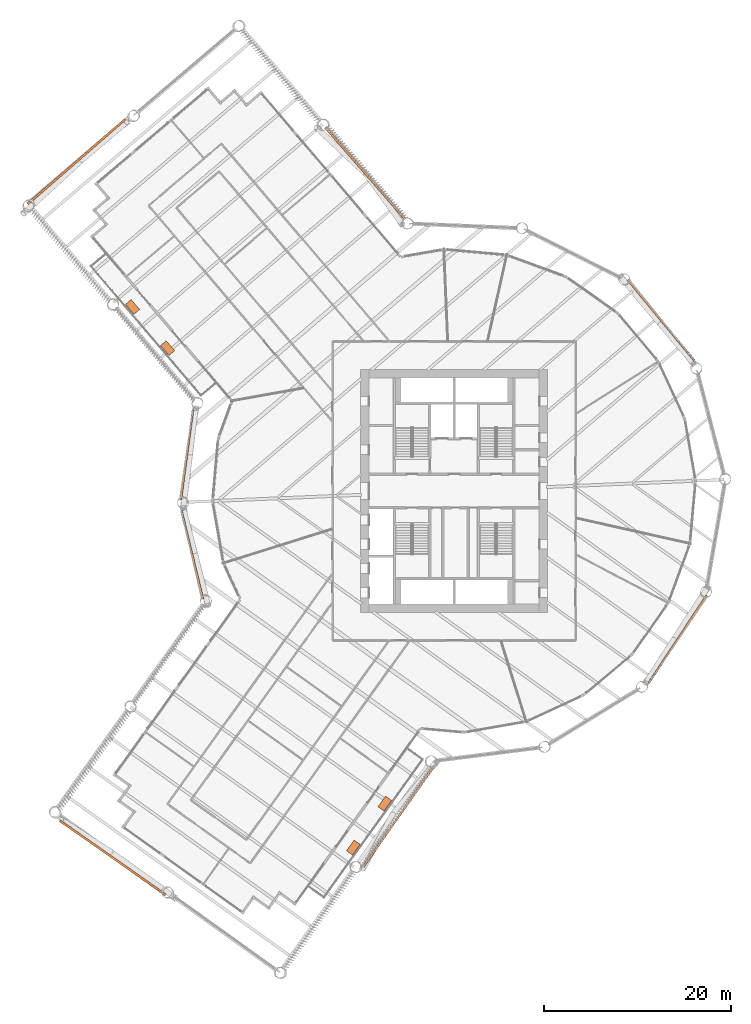
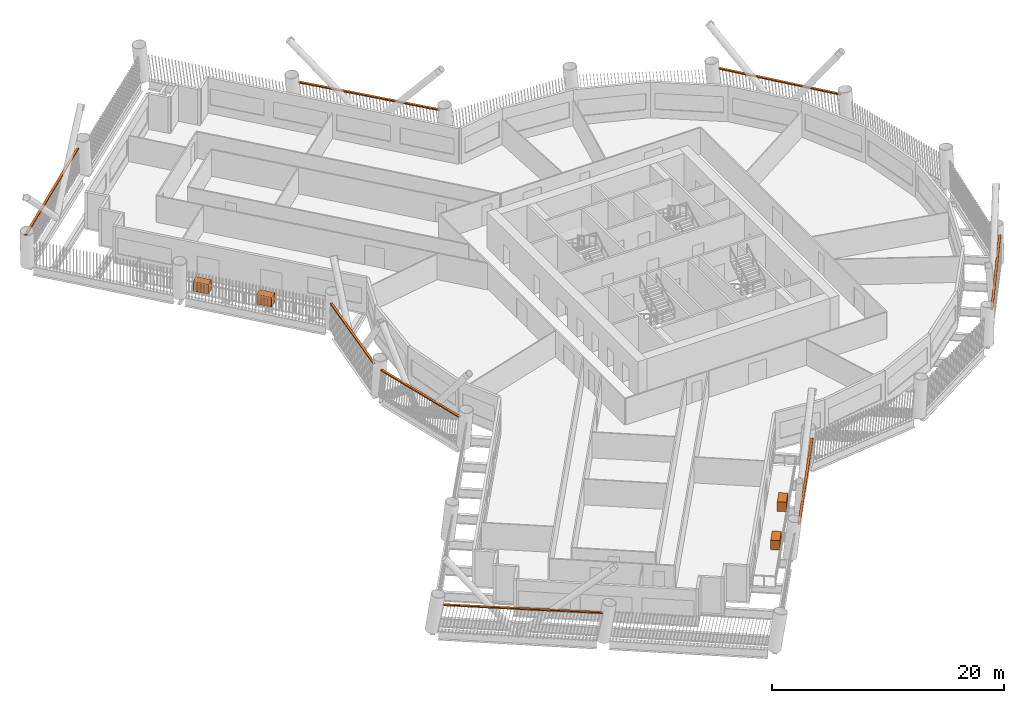
# One storey, part 21 of 21: 12 proxies.
"""IFC4 building model written with IfcOpenShell, lengths in metres."""

from ifc_helpers import new_model, si_unit, direction, frame, origin, origin_2d, place, context, subcontext, project, spatial, rectangle, extrude, material, type_object, element, save


model = new_model("IFC4")

# Units and contexts
model_context = context("Model", 3, precision=1e-05, world=origin(), true_north=direction((0.0, 1.0)))
body_context = subcontext(model_context, "Body", "Model", "MODEL_VIEW")
ifc_project = project(units=[si_unit("LENGTHUNIT", "METRE"), si_unit("AREAUNIT", "SQUARE_METRE"), si_unit("VOLUMEUNIT", "CUBIC_METRE"), si_unit("PLANEANGLEUNIT", "RADIAN"), si_unit("MASSUNIT", "GRAM", prefix="KILO")], contexts=[model_context])

# Site, building, storey
site_placement = place(None, origin())
site = spatial("IfcSite", under=ifc_project, at=site_placement, CompositionType="ELEMENT")
building_placement = place(site_placement, origin())
building = spatial("IfcBuilding", under=site, at=building_placement, Name="Tarsis Ring Headquarters", CompositionType="ELEMENT")
storey_placement = place(building_placement, frame((0.0, 0.0, 47.800048828125)))
storey = spatial("IfcBuildingStorey", under=building, at=storey_placement, Name="L09", CompositionType="ELEMENT", Elevation=47.800048828125)

# Proxies
ifc_material_1 = material(Name="Structural steel S355", Category="steel")
building_element_proxy_type_1 = type_object("IfcBuildingElementProxyType", Name="Screen bracket plate", PredefinedType="USERDEFINED", material=ifc_material_1)
proxy_1_placement = place(storey_placement, frame((-28.048828125, -6.829833984375, 2.952392578125), z_axis=(0.0, 0.0, 1.0), x_axis=(0.236583464789, -0.971611169238, 0.0)))
element("IfcBuildingElementProxy", 1, at=proxy_1_placement, inside=storey, type_object=building_element_proxy_type_1, Name="Screen bracket L09-00", ObjectType="Bracket", PredefinedType="USERDEFINED", context=body_context, shape_type="SweptSolid", body=[
    extrude(rectangle(XDim=9.771728515625, YDim=0.222900390625, at=origin_2d()), origin(), (0.0, 0.0, 1.0), 0.1201171875),
])
proxy_2_placement = place(storey_placement, frame((-36.5322265625, -39.271728515625, 2.952392578125), z_axis=(0.0, 0.0, 1.0), x_axis=(0.819152044289, -0.573576436351, 0.0)))
element("IfcBuildingElementProxy", 2, at=proxy_2_placement, inside=storey, type_object=building_element_proxy_type_1, Name="Screen bracket L09-03", ObjectType="Bracket", PredefinedType="USERDEFINED", context=body_context, shape_type="SweptSolid", body=[
    extrude(rectangle(XDim=13.800048828125, YDim=0.222900390625, at=origin_2d()), origin(), (0.0, 0.0, 1.0), 0.1201171875),
])
proxy_3_placement = place(storey_placement, frame((-5.935302734375, -34.84375, 2.952392578125), z_axis=(0.0, 0.0, 1.0), x_axis=(0.573576464945, 0.819152024267, 0.0)))
element("IfcBuildingElementProxy", 3, at=proxy_3_placement, inside=storey, type_object=building_element_proxy_type_1, Name="Screen bracket L09-06", ObjectType="Bracket", PredefinedType="USERDEFINED", context=body_context, shape_type="SweptSolid", body=[
    extrude(rectangle(XDim=12.90234375, YDim=0.222900390625, at=origin_2d()), origin(), (0.0, 0.0, 1.0), 0.1201171875),
])
for number, where, z_axis, x_axis, name in (
    (4, (23.944580078125, -15.85693359375, 2.952392578125), (0.0, 0.0, 1.0), (0.552136898475, 0.833753467964, 0.0), "Screen bracket L09-09"),
    (5, (22.156005859375, 18.27294921875, 2.952392578125), (0.0, 0.0, 1.0), (-0.636263257384, 0.771472013299, 0.0), "Screen bracket L09-12"),
):
    element("IfcBuildingElementProxy", number, at=place(storey_placement, frame(where, z_axis=z_axis, x_axis=x_axis)), inside=storey, type_object=building_element_proxy_type_1, Name=name, ObjectType="Bracket", PredefinedType="USERDEFINED", context=body_context, shape_type="SweptSolid", body=[
        extrude(rectangle(XDim=11.248779296875, YDim=0.222900390625, at=origin_2d()), origin(), (0.0, 0.0, 1.0), 0.1201171875),
    ])
proxy_4_placement = place(storey_placement, frame((-9.544921875, 34.032470703125, 2.952392578125), z_axis=(0.0, 0.0, 1.0), x_axis=(-0.656059081679, 0.754709534421, 0.0)))
element("IfcBuildingElementProxy", 6, at=proxy_4_placement, inside=storey, type_object=building_element_proxy_type_1, Name="Screen bracket L09-15", ObjectType="Bracket", PredefinedType="USERDEFINED", context=body_context, shape_type="SweptSolid", body=[
    extrude(rectangle(XDim=12.90234375, YDim=0.222900390625, at=origin_2d()), origin(), (0.0, 0.0, 1.0), 0.1201171875),
])
proxy_5_placement = place(storey_placement, frame((-40.43701171875, 35.238037109375, 2.952392578125), z_axis=(0.0, 0.0, 1.0), x_axis=(-0.754709545872, -0.656059068507, 0.0)))
element("IfcBuildingElementProxy", 7, at=proxy_5_placement, inside=storey, type_object=building_element_proxy_type_1, Name="Screen bracket L09-18", ObjectType="Bracket", PredefinedType="USERDEFINED", context=body_context, shape_type="SweptSolid", body=[
    extrude(rectangle(XDim=13.800048828125, YDim=0.222900390625, at=origin_2d()), origin(), (0.0, 0.0, 1.0), 0.1201171875),
])
proxy_6_placement = place(storey_placement, frame((-28.609130859375, 3.8603515625, 2.952392578125), z_axis=(0.0, 0.0, 1.0), x_axis=(-0.133726396104, -0.991018289935, 0.0)))
element("IfcBuildingElementProxy", 8, at=proxy_6_placement, inside=storey, type_object=building_element_proxy_type_1, Name="Screen bracket L09-21", ObjectType="Bracket", PredefinedType="USERDEFINED", context=body_context, shape_type="SweptSolid", body=[
    extrude(rectangle(XDim=9.771728515625, YDim=0.222900390625, at=origin_2d()), origin(), (0.0, 0.0, 1.0), 0.1201171875),
])
ifc_material_2 = material(Name="Planter soil mix and tree")
building_element_proxy_type_2 = type_object("IfcBuildingElementProxyType", Name="Tree planter", PredefinedType="USERDEFINED", material=ifc_material_2)
for number, where, z_axis, x_axis, name in (
    (9, (-34.42431640625, 19.696044921875, 0.0), (0.0, 0.0, 1.0), (0.648119901063, -0.761538307537, 0.0), "Tree planter L09-01.2"),
    (10, (-30.669921875, 15.28466796875, 0.0), (0.0, 0.0, 1.0), (0.648119901063, -0.761538307537, 0.0), "Tree planter L09-01.3"),
    (11, (-10.78759765625, -38.173095703125, 0.0), (0.0, 0.0, 1.0), (0.58212299854, 0.813100740727, 0.0), "Tree planter L09-16.2"),
    (12, (-7.41845703125, -33.467041015625, 0.0), (0.0, 0.0, 1.0), (0.58212299854, 0.813100740727, 0.0), "Tree planter L09-16.3"),
):
    element("IfcBuildingElementProxy", number, at=place(storey_placement, frame(where, z_axis=z_axis, x_axis=x_axis)), inside=storey, type_object=building_element_proxy_type_2, Name=name, ObjectType="Planter", PredefinedType="USERDEFINED", context=body_context, shape_type="SweptSolid", body=[
        extrude(rectangle(XDim=1.39990234375, YDim=0.800048828125, at=origin_2d()), origin(), (0.0, 0.0, 1.0), 1.0),
    ])

save(model, "model.ifc")
